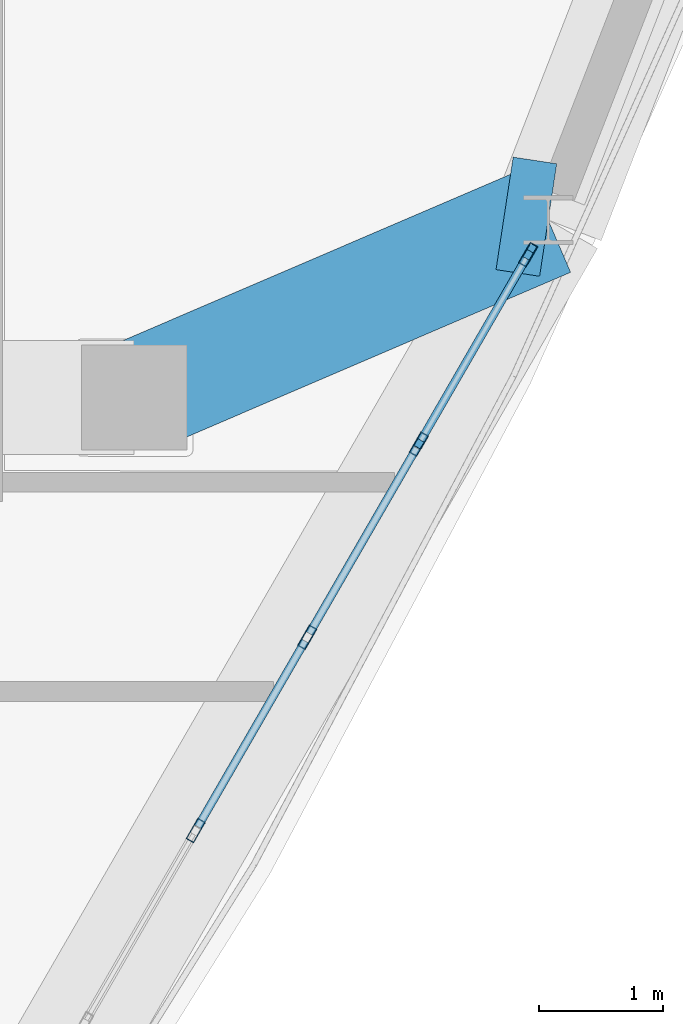
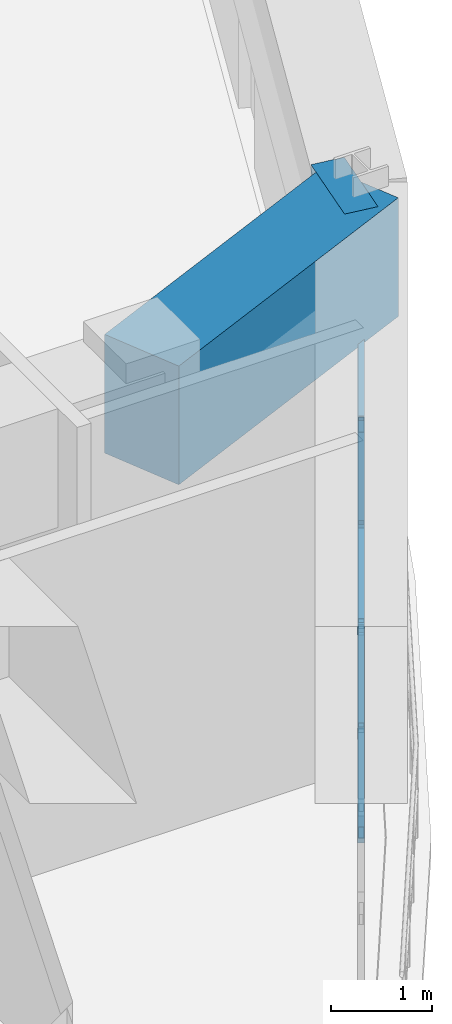
# One storey, part 7 of 18: 11 members, 2 beams, 1 element without a shape of its own.
"""IFC4 building model written with IfcOpenShell, lengths in metres."""

from ifc_helpers import new_model, si_unit, derived_unit, direction, frame, origin, origin_2d, place, context, subcontext, project, spatial, rectangle, hollow_rectangle, extrude, source, transform, mapped, material, layer, layer_set, material_profile, profile_set, type_object, element, aggregate, save


model = new_model("IFC4")

# Units and contexts
model_context = context("Model", 3, precision=1e-05, world=origin(), true_north=direction((0.0, 1.0)))
body_context = subcontext(model_context, "Body", "Model", "MODEL_VIEW")
ifc_project = project(units=[si_unit("LENGTHUNIT", "METRE"), si_unit("AREAUNIT", "SQUARE_METRE"), si_unit("VOLUMEUNIT", "CUBIC_METRE"), si_unit("PLANEANGLEUNIT", "RADIAN"), si_unit("MASSUNIT", "GRAM", prefix="KILO"), derived_unit("THERMALTRANSMITTANCEUNIT", [(si_unit("POWERUNIT", "WATT"), 1), (si_unit("LENGTHUNIT", "METRE"), -2), (si_unit("THERMODYNAMICTEMPERATUREUNIT", "KELVIN"), -1)])], contexts=[model_context])

# Site, building, storey
site_placement = place(None, origin())
site = spatial("IfcSite", under=ifc_project, at=site_placement, CompositionType="ELEMENT")
building_placement = place(site_placement, origin())
building = spatial("IfcBuilding", under=site, at=building_placement, Name="Korsvarv Bourse and Concert Hall", CompositionType="ELEMENT")
storey_placement = place(building_placement, frame((0.0, 0.0, 275.39990234375)))
storey = spatial("IfcBuildingStorey", under=building, at=storey_placement, Name="L72", CompositionType="ELEMENT", Elevation=275.39990234375)

# Beams
ifc_material_1 = material(Name="Concrete C50/60", Category="concrete")
ifc_material_profile_1 = material_profile(ifc_material_1, rectangle(XDim=0.919921875, YDim=1.43994140625, at=origin_2d()), Name="RC-BM 920x1440")
ifc_profile_set_1 = profile_set([ifc_material_profile_1], Name="Concrete C50/60")
beam_type = type_object("IfcBeamType", Name="BM-TR-144", PredefinedType="BEAM", material=ifc_profile_set_1)
shared_shape_1 = source(origin(), body_context, "Body", "SweptSolid", [
    extrude(rectangle(XDim=0.919921875, YDim=1.43994140625, at=origin_2d()), origin(), (0.0, 0.0, 1.0), 3.641845703125),
])
beam_1_placement = place(storey_placement, frame((51.14697265625, 33.835693359375, 3.239990234375), z_axis=(-0.9190062764, -0.394242899665, 0.0), x_axis=(0.394242899665, -0.9190062764, 0.0)))
element("IfcBeam", 1, at=beam_1_placement, inside=storey, type_object=beam_type, Name="L72 beam B-TR4", PredefinedType="BEAM", context=body_context, shape_type="MappedRepresentation", body=[
    mapped(shared_shape_1, transform((0.0, 0.0, 0.0), scale=1.0)),
])
shared_shape_2 = source(origin(), body_context, "Body", "SweptSolid", [
    extrude(rectangle(XDim=0.919921875, YDim=1.43994140625, at=origin_2d()), origin(), (0.0, 0.0, 1.0), 0.3564453125),
])
beam_2_placement = place(storey_placement, frame((51.14697265625, 33.835693359375, 3.239990234375), z_axis=(-0.988576712642, 0.150718556328, 0.0), x_axis=(-0.150718556328, -0.988576712642, 0.0)))
element("IfcBeam", 2, at=beam_2_placement, inside=storey, type_object=beam_type, Name="L72 beam B-TR4", PredefinedType="BEAM", context=body_context, shape_type="MappedRepresentation", body=[
    mapped(shared_shape_2, transform((0.0, 0.0, 0.0), scale=1.0)),
])

# Curtain wall, members
ifc_material_2 = material(Name="Anodised aluminium and triple low-E glazing", Category="glass")
ifc_layer = layer(ifc_material_2, 0.18994140625)
ifc_layer_set = layer_set([ifc_layer], Name="Anodised aluminium and triple low-E glazing")
curtain_wall_type = type_object("IfcCurtainWallType", Name="CW-SYS-4", PredefinedType="NOTDEFINED", material=ifc_layer_set)
curtain_wall_placement = place(storey_placement, origin())
curtain_wall = element("IfcCurtainWall", 3, at=curtain_wall_placement, inside=storey, type_object=curtain_wall_type, Name="L72 CW4 curtain wall CW-L72-F11", PredefinedType="NOTDEFINED")
ifc_material_3 = material(Name="Extruded aluminium EN AW-6063 T66", Category="aluminium")
ifc_material_profile_2 = material_profile(ifc_material_3, hollow_rectangle(XDim=0.070068359375, YDim=0.18994140625, WallThickness=0.0048828125, at=origin_2d()), Name="ALU-M 70x190")
ifc_profile_set_2 = profile_set([ifc_material_profile_2], Name="Extruded aluminium EN AW-6063 T66")
member_type_1 = type_object("IfcMemberType", Name="CWM-190", PredefinedType="MULLION", material=ifc_profile_set_2)
shared_shape_3 = source(origin(), body_context, "Body", "SweptSolid", [
    extrude(hollow_rectangle(XDim=0.070068359375, YDim=0.18994140625, WallThickness=0.0048828125, at=origin_2d()), origin(), (0.0, 0.0, 1.0), 2.52001953125),
])
member_1_placement = place(storey_placement, frame((48.29736328125, 28.900146484375, 0.0), z_axis=(0.0, 0.0, 1.0), x_axis=(-0.866023090804, 0.500004006179, 0.0)))
member_1 = element("IfcMember", 4, at=member_1_placement, type_object=member_type_1, Name="CW4 mullion 4", PredefinedType="MULLION", context=body_context, shape_type="MappedRepresentation", body=[
    mapped(shared_shape_3, transform((0.0, 0.0, 0.0), scale=1.0)),
])
member_2_placement = place(storey_placement, frame((49.19921875, 30.462158203125, 0.0), z_axis=(0.0, 0.0, 1.0), x_axis=(-0.866023090804, 0.500004006179, 0.0)))
member_2 = element("IfcMember", 5, at=member_2_placement, type_object=member_type_1, Name="CW4 mullion 5", PredefinedType="MULLION", context=body_context, shape_type="MappedRepresentation", body=[
    mapped(shared_shape_3, transform((0.0, 0.0, 0.0), scale=1.0)),
])
member_3_placement = place(storey_placement, frame((50.10107421875, 32.024169921875, 0.0), z_axis=(0.0, 0.0, 1.0), x_axis=(-0.866023090804, 0.500004006179, 0.0)))
member_3 = element("IfcMember", 6, at=member_3_placement, type_object=member_type_1, Name="CW4 mullion 6", PredefinedType="MULLION", context=body_context, shape_type="MappedRepresentation", body=[
    mapped(shared_shape_3, transform((0.0, 0.0, 0.0), scale=1.0)),
])
member_4_placement = place(storey_placement, frame((50.9853515625, 33.555908203125, 0.0), z_axis=(0.0, 0.0, 1.0), x_axis=(-0.866023090804, 0.500004006179, 0.0)))
member_4 = element("IfcMember", 7, at=member_4_placement, type_object=member_type_1, Name="CW4 mullion 7", PredefinedType="MULLION", context=body_context, shape_type="MappedRepresentation", body=[
    mapped(shared_shape_3, transform((0.0, 0.0, 0.0), scale=1.0)),
])
ifc_material_profile_3 = material_profile(ifc_material_3, hollow_rectangle(XDim=0.06494140625, YDim=0.139892578125, WallThickness=0.00390625, at=origin_2d()), Name="ALU-T 65x140")
ifc_profile_set_3 = profile_set([ifc_material_profile_3], Name="Extruded aluminium EN AW-6063 T66")
member_type_2 = type_object("IfcMemberType", Name="CWT-140", PredefinedType="USERDEFINED", material=ifc_profile_set_3)
shared_shape_4 = source(origin(), body_context, "Body", "SweptSolid", [
    extrude(hollow_rectangle(XDim=0.06494140625, YDim=0.139892578125, WallThickness=0.00390625, at=origin_2d()), origin(), (0.0, 0.0, 1.0), 1.69873046875),
])
member_5_placement = place(storey_placement, frame((50.11865234375, 32.054443359375, 0.03271484375), z_axis=(0.499987849973, 0.866032418492, 0.0), x_axis=(-0.866032418492, 0.499987849973, 0.0)))
member_5 = element("IfcMember", 8, at=member_5_placement, type_object=member_type_2, Name="CW4 transom 6.1", ObjectType="TRANSOM", PredefinedType="USERDEFINED", context=body_context, shape_type="MappedRepresentation", body=[
    mapped(shared_shape_4, transform((0.0, 0.0, 0.0), scale=1.0)),
])
member_6_placement = place(storey_placement, frame((50.11865234375, 32.054443359375, 2.487548828125), z_axis=(0.499987849973, 0.866032418492, 0.0), x_axis=(-0.866032418492, 0.499987849973, 0.0)))
member_6 = element("IfcMember", 9, at=member_6_placement, type_object=member_type_2, Name="CW4 transom 6.2", ObjectType="TRANSOM", PredefinedType="USERDEFINED", context=body_context, shape_type="MappedRepresentation", body=[
    mapped(shared_shape_4, transform((0.0, 0.0, 0.0), scale=1.0)),
])
shared_shape_5 = source(origin(), body_context, "Body", "SweptSolid", [
    extrude(hollow_rectangle(XDim=0.06494140625, YDim=0.139892578125, WallThickness=0.00390625, at=origin_2d()), origin(), (0.0, 0.0, 1.0), 1.733642578125),
])
member_7_placement = place(storey_placement, frame((48.31494140625, 28.930419921875, 0.03271484375), z_axis=(0.499925626596, 0.866068339032, 0.0), x_axis=(-0.866068339032, 0.499925626596, 0.0)))
member_7 = element("IfcMember", 10, at=member_7_placement, type_object=member_type_2, Name="CW4 transom 4.1", ObjectType="TRANSOM", PredefinedType="USERDEFINED", context=body_context, shape_type="MappedRepresentation", body=[
    mapped(shared_shape_5, transform((0.0, 0.0, 0.0), scale=1.0)),
])
member_8_placement = place(storey_placement, frame((48.31494140625, 28.930419921875, 2.487548828125), z_axis=(0.499925626596, 0.866068339032, 0.0), x_axis=(-0.866068339032, 0.499925626596, 0.0)))
member_8 = element("IfcMember", 11, at=member_8_placement, type_object=member_type_2, Name="CW4 transom 4.2", ObjectType="TRANSOM", PredefinedType="USERDEFINED", context=body_context, shape_type="MappedRepresentation", body=[
    mapped(shared_shape_5, transform((0.0, 0.0, 0.0), scale=1.0)),
])
member_9_placement = place(storey_placement, frame((49.216796875, 30.492431640625, 0.03271484375), z_axis=(0.499925626596, 0.866068339032, 0.0), x_axis=(-0.866068339032, 0.499925626596, 0.0)))
member_9 = element("IfcMember", 12, at=member_9_placement, type_object=member_type_2, Name="CW4 transom 5.1", ObjectType="TRANSOM", PredefinedType="USERDEFINED", context=body_context, shape_type="MappedRepresentation", body=[
    mapped(shared_shape_5, transform((0.0, 0.0, 0.0), scale=1.0)),
])
member_10_placement = place(storey_placement, frame((49.216796875, 30.492431640625, 2.487548828125), z_axis=(0.499925626596, 0.866068339032, 0.0), x_axis=(-0.866068339032, 0.499925626596, 0.0)))
member_10 = element("IfcMember", 13, at=member_10_placement, type_object=member_type_2, Name="CW4 transom 5.2", ObjectType="TRANSOM", PredefinedType="USERDEFINED", context=body_context, shape_type="MappedRepresentation", body=[
    mapped(shared_shape_5, transform((0.0, 0.0, 0.0), scale=1.0)),
])
ifc_material_profile_4 = material_profile(ifc_material_3, hollow_rectangle(XDim=0.06494140625, YDim=0.1650390625, WallThickness=0.0048828125, at=origin_2d()), Name="ALU-M 65x165")
ifc_profile_set_4 = profile_set([ifc_material_profile_4], Name="Extruded aluminium EN AW-6063 T66")
member_type_3 = type_object("IfcMemberType", Name="CWM-165", PredefinedType="MULLION", material=ifc_profile_set_4)
shared_shape_6 = source(origin(), body_context, "Body", "SweptSolid", [
    extrude(hollow_rectangle(XDim=0.06494140625, YDim=0.1650390625, WallThickness=0.0048828125, at=origin_2d()), origin(), (0.0, 0.0, 1.0), 2.93212890625),
])
member_11_placement = place(storey_placement, frame((50.968017578125, 33.525634765625, 0.065185546875), z_axis=(-0.289674730381, -0.50174760715, 0.815069254296), x_axis=(0.866032418492, -0.499987849973, 0.0)))
member_11 = element("IfcMember", 14, at=member_11_placement, type_object=member_type_3, Name="CW4 diagonal mullion 6", PredefinedType="MULLION", context=body_context, shape_type="MappedRepresentation", body=[
    mapped(shared_shape_6, transform((0.0, 0.0, 0.0), scale=1.0)),
])
aggregate(curtain_wall, [member_1, member_2, member_3, member_4, member_7, member_8, member_9, member_10, member_5, member_6, member_11])

save(model, "model.ifc")
